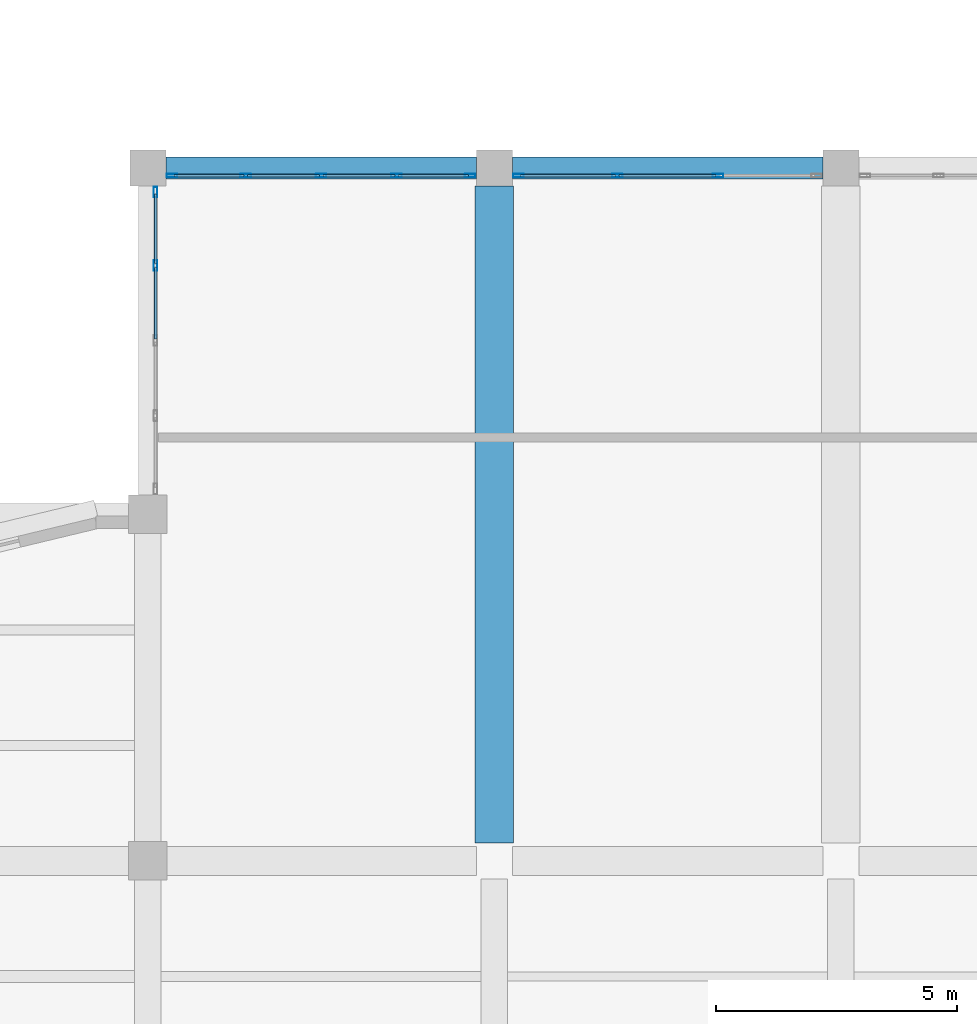
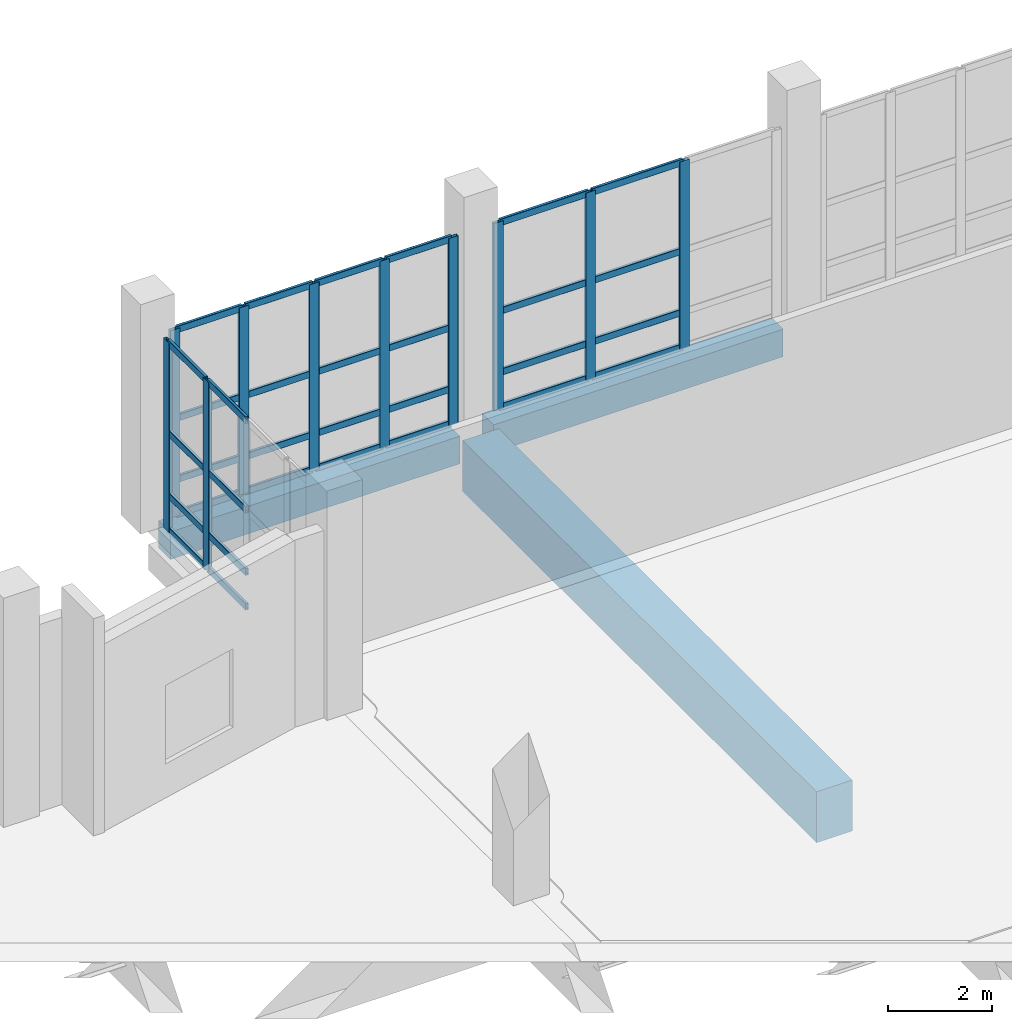
# One storey, part 22 of 137: 42 members, 3 beams, 3 elements without a shape of their own.
"""IFC4 building model written with IfcOpenShell, lengths in metres."""

from ifc_helpers import new_model, si_unit, direction, frame, origin, origin_2d, place, context, subcontext, project, spatial, rectangle, hollow_rectangle, extrude, material, material_profile, profile_set, type_object, element, aggregate, save


model = new_model("IFC4")

# Units and contexts
model_context = context("Model", 3, precision=1e-05, world=origin(), true_north=direction((0.0, 1.0)))
body_context = subcontext(model_context, "Body", "Model", "MODEL_VIEW")
ifc_project = project(units=[si_unit("LENGTHUNIT", "METRE"), si_unit("AREAUNIT", "SQUARE_METRE"), si_unit("VOLUMEUNIT", "CUBIC_METRE"), si_unit("PLANEANGLEUNIT", "RADIAN"), si_unit("MASSUNIT", "GRAM", prefix="KILO")], contexts=[model_context])

# Site, building, storey
site_placement = place(None, origin())
site = spatial("IfcSite", under=ifc_project, at=site_placement, CompositionType="ELEMENT")
building_placement = place(site_placement, origin())
building = spatial("IfcBuilding", under=site, at=building_placement, Name="Kalmorath City Hall", CompositionType="ELEMENT")
storey_placement = place(building_placement, origin())
storey = spatial("IfcBuildingStorey", under=building, at=storey_placement, Name="L00", CompositionType="ELEMENT", Elevation=0.0)

# Beams
ifc_material_1 = material(Name="Concrete C50/60", Category="concrete")
ifc_material_profile_1 = material_profile(ifc_material_1, rectangle(XDim=0.800048828125, YDim=1.199951171875, at=origin_2d()), Name="RC-TG-800X1200")
ifc_profile_set_1 = profile_set([ifc_material_profile_1], Name="Concrete C50/60")
beam_type_1 = type_object("IfcBeamType", Name="Concrete deep girder 800x1200", PredefinedType="BEAM", material=ifc_profile_set_1)
beam_placement = place(storey_placement, frame((43.199951171875, 29.175048828125, -0.904052734375), z_axis=(0.0, 1.0, 0.0), x_axis=(-1.0, 0.0, 0.0)))
element("IfcBeam", 1, at=beam_placement, inside=storey, type_object=beam_type_1, Name="L00 girder TG2 Y7/5-7", PredefinedType="BEAM", context=body_context, shape_type="SweptSolid", body=[
    extrude(rectangle(XDim=0.800048828125, YDim=1.199951171875, at=origin_2d()), origin(), (0.0, 0.0, 1.0), 13.64990234375),
])
ifc_material_2 = material(Name="Concrete C40/50", Category="concrete")
ifc_material_profile_2 = material_profile(ifc_material_2, rectangle(XDim=0.449951171875, YDim=0.64990234375, at=origin_2d()), Name="RC-BM-450X650")
ifc_profile_set_2 = profile_set([ifc_material_profile_2], Name="Concrete C40/50")
beam_type_2 = type_object("IfcBeamType", Name="Concrete spandrel beam 450x650", PredefinedType="SPANDREL", material=ifc_profile_set_2)
for number, where, z_axis, x_axis, name in (
    (2, (36.375, 43.199951171875, -0.62890625), (1.0, 0.0, 0.0), (0.0, 1.0, 0.0), "L00 girder CB5 X6-7/7"),
    (3, (43.574951171875, 43.199951171875, -0.62890625), (1.0, 0.0, 0.0), (0.0, 1.0, 0.0), "L00 girder CB5 X7-8/7"),
):
    element("IfcBeam", number, at=place(storey_placement, frame(where, z_axis=z_axis, x_axis=x_axis)), inside=storey, type_object=beam_type_2, Name=name, PredefinedType="SPANDREL", context=body_context, shape_type="SweptSolid", body=[
        extrude(rectangle(XDim=0.449951171875, YDim=0.64990234375, at=origin_2d()), origin(), (0.0, 0.0, 1.0), 6.449951171875),
    ])

# Curtain wall, members
ifc_material_3 = material(Name="Anodised aluminium and laminated glass", Category="aluminium")
curtain_wall_type_1 = type_object("IfcCurtainWallType", Name="Unitised hurricane curtain wall 6245x4461 M1500", PredefinedType="NOTDEFINED", material=ifc_material_3)
curtain_wall_1_placement = place(storey_placement, origin())
curtain_wall_1 = element("IfcCurtainWall", 4, at=curtain_wall_1_placement, inside=storey, type_object=curtain_wall_type_1, Name="L00 curtain wall CW-62X45M15 #27", PredefinedType="NOTDEFINED")
ifc_material_4 = material(Name="Anodised aluminium framing", Category="aluminium")
ifc_material_profile_3 = material_profile(ifc_material_4, hollow_rectangle(XDim=0.074951171875, YDim=0.219970703125, WallThickness=0.00390625, InnerFilletRadius=0.00390625, OuterFilletRadius=0.008056640625, at=origin_2d()), Name="ALU-MUL-220X75X4")
ifc_profile_set_3 = profile_set([ifc_material_profile_3], Name="Anodised aluminium framing")
member_type_1 = type_object("IfcMemberType", Name="Curtain-wall primary mullion 220x75", PredefinedType="MULLION", material=ifc_profile_set_3)
member_1_placement = place(storey_placement, frame((36.159912109375, 41.173828125, 0.0), z_axis=(0.0, 0.0, 1.0), x_axis=(-1.0, 0.0, 0.0)))
member_1 = element("IfcMember", 5, at=member_1_placement, type_object=member_type_1, Name="CW-62X45M15 mullion 4", PredefinedType="MULLION", context=body_context, shape_type="SweptSolid", body=[
    extrude(hollow_rectangle(XDim=0.074951171875, YDim=0.219970703125, WallThickness=0.00390625, InnerFilletRadius=0.00390625, OuterFilletRadius=0.008056640625, at=origin_2d()), origin(), (0.0, 0.0, 1.0), 4.4609375),
])
member_2_placement = place(storey_placement, frame((36.159912109375, 42.697509765625, 0.0), z_axis=(0.0, 0.0, 1.0), x_axis=(-1.0, 0.0, 0.0)))
member_2 = element("IfcMember", 6, at=member_2_placement, type_object=member_type_1, Name="CW-62X45M15 mullion 5", PredefinedType="MULLION", context=body_context, shape_type="SweptSolid", body=[
    extrude(hollow_rectangle(XDim=0.074951171875, YDim=0.219970703125, WallThickness=0.00390625, InnerFilletRadius=0.00390625, OuterFilletRadius=0.008056640625, at=origin_2d()), origin(), (0.0, 0.0, 1.0), 4.4609375),
])

ifc_material_5 = material(Name="Anodised aluminium and laminated glass", Category="aluminium")
curtain_wall_type_2 = type_object("IfcCurtainWallType", Name="Unitised hurricane curtain wall 6270x4411 M1500", PredefinedType="NOTDEFINED", material=ifc_material_5)
curtain_wall_2_placement = place(storey_placement, origin())
curtain_wall_2 = element("IfcCurtainWall", 7, at=curtain_wall_2_placement, inside=storey, type_object=curtain_wall_type_2, Name="L00 curtain wall CW-63X44M15 #28", PredefinedType="NOTDEFINED")
member_3_placement = place(storey_placement, frame((36.50244140625, 43.0400390625, 0.0), z_axis=(0.0, 0.0, 1.0), x_axis=(0.0, 1.0, 0.0)))
member_3 = element("IfcMember", 8, at=member_3_placement, type_object=member_type_1, Name="CW-63X44M15 mullion 1", PredefinedType="MULLION", context=body_context, shape_type="SweptSolid", body=[
    extrude(hollow_rectangle(XDim=0.074951171875, YDim=0.219970703125, WallThickness=0.00390625, InnerFilletRadius=0.00390625, OuterFilletRadius=0.008056640625, at=origin_2d()), origin(), (0.0, 0.0, 1.0), 4.410888671875),
])
member_4_placement = place(storey_placement, frame((38.032470703125, 43.0400390625, 0.0), z_axis=(0.0, 0.0, 1.0), x_axis=(0.0, 1.0, 0.0)))
member_4 = element("IfcMember", 9, at=member_4_placement, type_object=member_type_1, Name="CW-63X44M15 mullion 2", PredefinedType="MULLION", context=body_context, shape_type="SweptSolid", body=[
    extrude(hollow_rectangle(XDim=0.074951171875, YDim=0.219970703125, WallThickness=0.00390625, InnerFilletRadius=0.00390625, OuterFilletRadius=0.008056640625, at=origin_2d()), origin(), (0.0, 0.0, 1.0), 4.410888671875),
])
member_5_placement = place(storey_placement, frame((39.60009765625, 43.0400390625, 0.0), z_axis=(0.0, 0.0, 1.0), x_axis=(0.0, 1.0, 0.0)))
member_5 = element("IfcMember", 10, at=member_5_placement, type_object=member_type_1, Name="CW-63X44M15 mullion 3", PredefinedType="MULLION", context=body_context, shape_type="SweptSolid", body=[
    extrude(hollow_rectangle(XDim=0.074951171875, YDim=0.219970703125, WallThickness=0.00390625, InnerFilletRadius=0.00390625, OuterFilletRadius=0.008056640625, at=origin_2d()), origin(), (0.0, 0.0, 1.0), 4.410888671875),
])
member_6_placement = place(storey_placement, frame((41.16748046875, 43.0400390625, 0.0), z_axis=(0.0, 0.0, 1.0), x_axis=(0.0, 1.0, 0.0)))
member_6 = element("IfcMember", 11, at=member_6_placement, type_object=member_type_1, Name="CW-63X44M15 mullion 4", PredefinedType="MULLION", context=body_context, shape_type="SweptSolid", body=[
    extrude(hollow_rectangle(XDim=0.074951171875, YDim=0.219970703125, WallThickness=0.00390625, InnerFilletRadius=0.00390625, OuterFilletRadius=0.008056640625, at=origin_2d()), origin(), (0.0, 0.0, 1.0), 4.410888671875),
])
member_7_placement = place(storey_placement, frame((42.697509765625, 43.0400390625, 0.0), z_axis=(0.0, 0.0, 1.0), x_axis=(0.0, 1.0, 0.0)))
member_7 = element("IfcMember", 12, at=member_7_placement, type_object=member_type_1, Name="CW-63X44M15 mullion 5", PredefinedType="MULLION", context=body_context, shape_type="SweptSolid", body=[
    extrude(hollow_rectangle(XDim=0.074951171875, YDim=0.219970703125, WallThickness=0.00390625, InnerFilletRadius=0.00390625, OuterFilletRadius=0.008056640625, at=origin_2d()), origin(), (0.0, 0.0, 1.0), 4.410888671875),
])

ifc_material_6 = material(Name="Anodised aluminium and laminated glass", Category="aluminium")
curtain_wall_type_3 = type_object("IfcCurtainWallType", Name="Unitised hurricane curtain wall 6270x4411 M2100", PredefinedType="NOTDEFINED", material=ifc_material_6)
curtain_wall_3_placement = place(storey_placement, origin())
curtain_wall_3 = element("IfcCurtainWall", 13, at=curtain_wall_3_placement, inside=storey, type_object=curtain_wall_type_3, Name="L00 curtain wall CW-63X44M21 #29", PredefinedType="NOTDEFINED")
member_8_placement = place(storey_placement, frame((43.702392578125, 43.0400390625, 0.0), z_axis=(0.0, 0.0, 1.0), x_axis=(0.0, 1.0, 0.0)))
member_8 = element("IfcMember", 14, at=member_8_placement, type_object=member_type_1, Name="CW-63X44M21 mullion 1", PredefinedType="MULLION", context=body_context, shape_type="SweptSolid", body=[
    extrude(hollow_rectangle(XDim=0.074951171875, YDim=0.219970703125, WallThickness=0.00390625, InnerFilletRadius=0.00390625, OuterFilletRadius=0.008056640625, at=origin_2d()), origin(), (0.0, 0.0, 1.0), 4.410888671875),
])
member_9_placement = place(storey_placement, frame((45.7548828125, 43.0400390625, 0.0), z_axis=(0.0, 0.0, 1.0), x_axis=(0.0, 1.0, 0.0)))
member_9 = element("IfcMember", 15, at=member_9_placement, type_object=member_type_1, Name="CW-63X44M21 mullion 2", PredefinedType="MULLION", context=body_context, shape_type="SweptSolid", body=[
    extrude(hollow_rectangle(XDim=0.074951171875, YDim=0.219970703125, WallThickness=0.00390625, InnerFilletRadius=0.00390625, OuterFilletRadius=0.008056640625, at=origin_2d()), origin(), (0.0, 0.0, 1.0), 4.410888671875),
])
member_10_placement = place(storey_placement, frame((47.844970703125, 43.0400390625, 0.0), z_axis=(0.0, 0.0, 1.0), x_axis=(0.0, 1.0, 0.0)))
member_10 = element("IfcMember", 16, at=member_10_placement, type_object=member_type_1, Name="CW-63X44M21 mullion 3", PredefinedType="MULLION", context=body_context, shape_type="SweptSolid", body=[
    extrude(hollow_rectangle(XDim=0.074951171875, YDim=0.219970703125, WallThickness=0.00390625, InnerFilletRadius=0.00390625, OuterFilletRadius=0.008056640625, at=origin_2d()), origin(), (0.0, 0.0, 1.0), 4.410888671875),
])

# Member
ifc_material_7 = material(Name="Anodised aluminium framing", Category="aluminium")
ifc_material_profile_4 = material_profile(ifc_material_7, hollow_rectangle(XDim=0.06494140625, YDim=0.159912109375, WallThickness=0.00390625, InnerFilletRadius=0.00390625, OuterFilletRadius=0.008056640625, at=origin_2d()), Name="ALU-TRN-160X65X4")
ifc_profile_set_4 = profile_set([ifc_material_profile_4], Name="Anodised aluminium framing")
member_type_2 = type_object("IfcMemberType", Name="Curtain-wall primary transom 160x65", PredefinedType="USERDEFINED", material=ifc_profile_set_4)
member_11_placement = place(storey_placement, frame((36.159912109375, 39.64990234375, 0.032470703125), z_axis=(0.0, 1.0, 0.0), x_axis=(-1.0, 0.0, 0.0)))
member_11 = element("IfcMember", 17, at=member_11_placement, type_object=member_type_2, Name="CW-62X45M15 transom 3.1", ObjectType="TRANSOM", PredefinedType="USERDEFINED", context=body_context, shape_type="SweptSolid", body=[
    extrude(hollow_rectangle(XDim=0.06494140625, YDim=0.159912109375, WallThickness=0.00390625, InnerFilletRadius=0.00390625, OuterFilletRadius=0.008056640625, at=origin_2d()), origin(), (0.0, 0.0, 1.0), 1.486328125),
])

member_12_placement = place(storey_placement, frame((36.159912109375, 39.64990234375, 0.85009765625), z_axis=(0.0, 1.0, 0.0), x_axis=(-1.0, 0.0, 0.0)))
member_12 = element("IfcMember", 18, at=member_12_placement, type_object=member_type_2, Name="CW-62X45M15 transom 3.2", ObjectType="TRANSOM", PredefinedType="USERDEFINED", context=body_context, shape_type="SweptSolid", body=[
    extrude(hollow_rectangle(XDim=0.06494140625, YDim=0.159912109375, WallThickness=0.00390625, InnerFilletRadius=0.00390625, OuterFilletRadius=0.008056640625, at=origin_2d()), origin(), (0.0, 0.0, 1.0), 1.486328125),
])

member_13_placement = place(storey_placement, frame((36.159912109375, 39.64990234375, 2.320068359375), z_axis=(0.0, 1.0, 0.0), x_axis=(-1.0, 0.0, 0.0)))
member_13 = element("IfcMember", 19, at=member_13_placement, type_object=member_type_2, Name="CW-62X45M15 transom 3.3", ObjectType="TRANSOM", PredefinedType="USERDEFINED", context=body_context, shape_type="SweptSolid", body=[
    extrude(hollow_rectangle(XDim=0.06494140625, YDim=0.159912109375, WallThickness=0.00390625, InnerFilletRadius=0.00390625, OuterFilletRadius=0.008056640625, at=origin_2d()), origin(), (0.0, 0.0, 1.0), 1.486328125),
])

member_14_placement = place(storey_placement, frame((36.159912109375, 39.64990234375, 4.428466796875), z_axis=(0.0, 1.0, 0.0), x_axis=(-1.0, 0.0, 0.0)))
member_14 = element("IfcMember", 20, at=member_14_placement, type_object=member_type_2, Name="CW-62X45M15 transom 3.4", ObjectType="TRANSOM", PredefinedType="USERDEFINED", context=body_context, shape_type="SweptSolid", body=[
    extrude(hollow_rectangle(XDim=0.06494140625, YDim=0.159912109375, WallThickness=0.00390625, InnerFilletRadius=0.00390625, OuterFilletRadius=0.008056640625, at=origin_2d()), origin(), (0.0, 0.0, 1.0), 1.486328125),
])

member_15_placement = place(storey_placement, frame((36.159912109375, 41.211181640625, 0.032470703125), z_axis=(0.0, 1.0, 0.0), x_axis=(-1.0, 0.0, 0.0)))
member_15 = element("IfcMember", 21, at=member_15_placement, type_object=member_type_2, Name="CW-62X45M15 transom 4.1", ObjectType="TRANSOM", PredefinedType="USERDEFINED", context=body_context, shape_type="SweptSolid", body=[
    extrude(hollow_rectangle(XDim=0.06494140625, YDim=0.159912109375, WallThickness=0.00390625, InnerFilletRadius=0.00390625, OuterFilletRadius=0.008056640625, at=origin_2d()), origin(), (0.0, 0.0, 1.0), 1.44873046875),
])

member_16_placement = place(storey_placement, frame((36.159912109375, 41.211181640625, 0.85009765625), z_axis=(0.0, 1.0, 0.0), x_axis=(-1.0, 0.0, 0.0)))
member_16 = element("IfcMember", 22, at=member_16_placement, type_object=member_type_2, Name="CW-62X45M15 transom 4.2", ObjectType="TRANSOM", PredefinedType="USERDEFINED", context=body_context, shape_type="SweptSolid", body=[
    extrude(hollow_rectangle(XDim=0.06494140625, YDim=0.159912109375, WallThickness=0.00390625, InnerFilletRadius=0.00390625, OuterFilletRadius=0.008056640625, at=origin_2d()), origin(), (0.0, 0.0, 1.0), 1.44873046875),
])

member_17_placement = place(storey_placement, frame((36.159912109375, 41.211181640625, 2.320068359375), z_axis=(0.0, 1.0, 0.0), x_axis=(-1.0, 0.0, 0.0)))
member_17 = element("IfcMember", 23, at=member_17_placement, type_object=member_type_2, Name="CW-62X45M15 transom 4.3", ObjectType="TRANSOM", PredefinedType="USERDEFINED", context=body_context, shape_type="SweptSolid", body=[
    extrude(hollow_rectangle(XDim=0.06494140625, YDim=0.159912109375, WallThickness=0.00390625, InnerFilletRadius=0.00390625, OuterFilletRadius=0.008056640625, at=origin_2d()), origin(), (0.0, 0.0, 1.0), 1.44873046875),
])

member_18_placement = place(storey_placement, frame((36.159912109375, 41.211181640625, 4.428466796875), z_axis=(0.0, 1.0, 0.0), x_axis=(-1.0, 0.0, 0.0)))
member_18 = element("IfcMember", 24, at=member_18_placement, type_object=member_type_2, Name="CW-62X45M15 transom 4.4", ObjectType="TRANSOM", PredefinedType="USERDEFINED", context=body_context, shape_type="SweptSolid", body=[
    extrude(hollow_rectangle(XDim=0.06494140625, YDim=0.159912109375, WallThickness=0.00390625, InnerFilletRadius=0.00390625, OuterFilletRadius=0.008056640625, at=origin_2d()), origin(), (0.0, 0.0, 1.0), 1.44873046875),
])

aggregate(curtain_wall_1, [member_1, member_2, member_11, member_12, member_13, member_14, member_15, member_16, member_17, member_18])

member_19_placement = place(storey_placement, frame((36.5400390625, 43.0400390625, 0.032470703125), z_axis=(1.0, 0.0, 0.0), x_axis=(0.0, 1.0, 0.0)))
member_19 = element("IfcMember", 25, at=member_19_placement, type_object=member_type_2, Name="CW-63X44M15 transom 1.1", ObjectType="TRANSOM", PredefinedType="USERDEFINED", context=body_context, shape_type="SweptSolid", body=[
    extrude(hollow_rectangle(XDim=0.06494140625, YDim=0.159912109375, WallThickness=0.00390625, InnerFilletRadius=0.00390625, OuterFilletRadius=0.008056640625, at=origin_2d()), origin(), (0.0, 0.0, 1.0), 1.455078125),
])

member_20_placement = place(storey_placement, frame((36.5400390625, 43.0400390625, 0.85009765625), z_axis=(1.0, 0.0, 0.0), x_axis=(0.0, 1.0, 0.0)))
member_20 = element("IfcMember", 26, at=member_20_placement, type_object=member_type_2, Name="CW-63X44M15 transom 1.2", ObjectType="TRANSOM", PredefinedType="USERDEFINED", context=body_context, shape_type="SweptSolid", body=[
    extrude(hollow_rectangle(XDim=0.06494140625, YDim=0.159912109375, WallThickness=0.00390625, InnerFilletRadius=0.00390625, OuterFilletRadius=0.008056640625, at=origin_2d()), origin(), (0.0, 0.0, 1.0), 1.455078125),
])

member_21_placement = place(storey_placement, frame((36.5400390625, 43.0400390625, 2.2939453125), z_axis=(1.0, 0.0, 0.0), x_axis=(0.0, 1.0, 0.0)))
member_21 = element("IfcMember", 27, at=member_21_placement, type_object=member_type_2, Name="CW-63X44M15 transom 1.3", ObjectType="TRANSOM", PredefinedType="USERDEFINED", context=body_context, shape_type="SweptSolid", body=[
    extrude(hollow_rectangle(XDim=0.06494140625, YDim=0.159912109375, WallThickness=0.00390625, InnerFilletRadius=0.00390625, OuterFilletRadius=0.008056640625, at=origin_2d()), origin(), (0.0, 0.0, 1.0), 1.455078125),
])

member_22_placement = place(storey_placement, frame((36.5400390625, 43.0400390625, 4.37841796875), z_axis=(1.0, 0.0, 0.0), x_axis=(0.0, 1.0, 0.0)))
member_22 = element("IfcMember", 28, at=member_22_placement, type_object=member_type_2, Name="CW-63X44M15 transom 1.4", ObjectType="TRANSOM", PredefinedType="USERDEFINED", context=body_context, shape_type="SweptSolid", body=[
    extrude(hollow_rectangle(XDim=0.06494140625, YDim=0.159912109375, WallThickness=0.00390625, InnerFilletRadius=0.00390625, OuterFilletRadius=0.008056640625, at=origin_2d()), origin(), (0.0, 0.0, 1.0), 1.455078125),
])

member_23_placement = place(storey_placement, frame((38.070068359375, 43.0400390625, 0.032470703125), z_axis=(1.0, 0.0, 0.0), x_axis=(0.0, 1.0, 0.0)))
member_23 = element("IfcMember", 29, at=member_23_placement, type_object=member_type_2, Name="CW-63X44M15 transom 2.1", ObjectType="TRANSOM", PredefinedType="USERDEFINED", context=body_context, shape_type="SweptSolid", body=[
    extrude(hollow_rectangle(XDim=0.06494140625, YDim=0.159912109375, WallThickness=0.00390625, InnerFilletRadius=0.00390625, OuterFilletRadius=0.008056640625, at=origin_2d()), origin(), (0.0, 0.0, 1.0), 1.492431640625),
])

member_24_placement = place(storey_placement, frame((38.070068359375, 43.0400390625, 0.85009765625), z_axis=(1.0, 0.0, 0.0), x_axis=(0.0, 1.0, 0.0)))
member_24 = element("IfcMember", 30, at=member_24_placement, type_object=member_type_2, Name="CW-63X44M15 transom 2.2", ObjectType="TRANSOM", PredefinedType="USERDEFINED", context=body_context, shape_type="SweptSolid", body=[
    extrude(hollow_rectangle(XDim=0.06494140625, YDim=0.159912109375, WallThickness=0.00390625, InnerFilletRadius=0.00390625, OuterFilletRadius=0.008056640625, at=origin_2d()), origin(), (0.0, 0.0, 1.0), 1.492431640625),
])

member_25_placement = place(storey_placement, frame((38.070068359375, 43.0400390625, 2.2939453125), z_axis=(1.0, 0.0, 0.0), x_axis=(0.0, 1.0, 0.0)))
member_25 = element("IfcMember", 31, at=member_25_placement, type_object=member_type_2, Name="CW-63X44M15 transom 2.3", ObjectType="TRANSOM", PredefinedType="USERDEFINED", context=body_context, shape_type="SweptSolid", body=[
    extrude(hollow_rectangle(XDim=0.06494140625, YDim=0.159912109375, WallThickness=0.00390625, InnerFilletRadius=0.00390625, OuterFilletRadius=0.008056640625, at=origin_2d()), origin(), (0.0, 0.0, 1.0), 1.492431640625),
])

member_26_placement = place(storey_placement, frame((38.070068359375, 43.0400390625, 4.37841796875), z_axis=(1.0, 0.0, 0.0), x_axis=(0.0, 1.0, 0.0)))
member_26 = element("IfcMember", 32, at=member_26_placement, type_object=member_type_2, Name="CW-63X44M15 transom 2.4", ObjectType="TRANSOM", PredefinedType="USERDEFINED", context=body_context, shape_type="SweptSolid", body=[
    extrude(hollow_rectangle(XDim=0.06494140625, YDim=0.159912109375, WallThickness=0.00390625, InnerFilletRadius=0.00390625, OuterFilletRadius=0.008056640625, at=origin_2d()), origin(), (0.0, 0.0, 1.0), 1.492431640625),
])

member_27_placement = place(storey_placement, frame((39.637451171875, 43.0400390625, 0.032470703125), z_axis=(1.0, 0.0, 0.0), x_axis=(0.0, 1.0, 0.0)))
member_27 = element("IfcMember", 33, at=member_27_placement, type_object=member_type_2, Name="CW-63X44M15 transom 3.1", ObjectType="TRANSOM", PredefinedType="USERDEFINED", context=body_context, shape_type="SweptSolid", body=[
    extrude(hollow_rectangle(XDim=0.06494140625, YDim=0.159912109375, WallThickness=0.00390625, InnerFilletRadius=0.00390625, OuterFilletRadius=0.008056640625, at=origin_2d()), origin(), (0.0, 0.0, 1.0), 1.492431640625),
])

member_28_placement = place(storey_placement, frame((39.637451171875, 43.0400390625, 0.85009765625), z_axis=(1.0, 0.0, 0.0), x_axis=(0.0, 1.0, 0.0)))
member_28 = element("IfcMember", 34, at=member_28_placement, type_object=member_type_2, Name="CW-63X44M15 transom 3.2", ObjectType="TRANSOM", PredefinedType="USERDEFINED", context=body_context, shape_type="SweptSolid", body=[
    extrude(hollow_rectangle(XDim=0.06494140625, YDim=0.159912109375, WallThickness=0.00390625, InnerFilletRadius=0.00390625, OuterFilletRadius=0.008056640625, at=origin_2d()), origin(), (0.0, 0.0, 1.0), 1.492431640625),
])

member_29_placement = place(storey_placement, frame((39.637451171875, 43.0400390625, 2.2939453125), z_axis=(1.0, 0.0, 0.0), x_axis=(0.0, 1.0, 0.0)))
member_29 = element("IfcMember", 35, at=member_29_placement, type_object=member_type_2, Name="CW-63X44M15 transom 3.3", ObjectType="TRANSOM", PredefinedType="USERDEFINED", context=body_context, shape_type="SweptSolid", body=[
    extrude(hollow_rectangle(XDim=0.06494140625, YDim=0.159912109375, WallThickness=0.00390625, InnerFilletRadius=0.00390625, OuterFilletRadius=0.008056640625, at=origin_2d()), origin(), (0.0, 0.0, 1.0), 1.492431640625),
])

member_30_placement = place(storey_placement, frame((39.637451171875, 43.0400390625, 4.37841796875), z_axis=(1.0, 0.0, 0.0), x_axis=(0.0, 1.0, 0.0)))
member_30 = element("IfcMember", 36, at=member_30_placement, type_object=member_type_2, Name="CW-63X44M15 transom 3.4", ObjectType="TRANSOM", PredefinedType="USERDEFINED", context=body_context, shape_type="SweptSolid", body=[
    extrude(hollow_rectangle(XDim=0.06494140625, YDim=0.159912109375, WallThickness=0.00390625, InnerFilletRadius=0.00390625, OuterFilletRadius=0.008056640625, at=origin_2d()), origin(), (0.0, 0.0, 1.0), 1.492431640625),
])

member_31_placement = place(storey_placement, frame((41.205078125, 43.0400390625, 0.032470703125), z_axis=(1.0, 0.0, 0.0), x_axis=(0.0, 1.0, 0.0)))
member_31 = element("IfcMember", 37, at=member_31_placement, type_object=member_type_2, Name="CW-63X44M15 transom 4.1", ObjectType="TRANSOM", PredefinedType="USERDEFINED", context=body_context, shape_type="SweptSolid", body=[
    extrude(hollow_rectangle(XDim=0.06494140625, YDim=0.159912109375, WallThickness=0.00390625, InnerFilletRadius=0.00390625, OuterFilletRadius=0.008056640625, at=origin_2d()), origin(), (0.0, 0.0, 1.0), 1.454833984375),
])

member_32_placement = place(storey_placement, frame((41.205078125, 43.0400390625, 0.85009765625), z_axis=(1.0, 0.0, 0.0), x_axis=(0.0, 1.0, 0.0)))
member_32 = element("IfcMember", 38, at=member_32_placement, type_object=member_type_2, Name="CW-63X44M15 transom 4.2", ObjectType="TRANSOM", PredefinedType="USERDEFINED", context=body_context, shape_type="SweptSolid", body=[
    extrude(hollow_rectangle(XDim=0.06494140625, YDim=0.159912109375, WallThickness=0.00390625, InnerFilletRadius=0.00390625, OuterFilletRadius=0.008056640625, at=origin_2d()), origin(), (0.0, 0.0, 1.0), 1.454833984375),
])

member_33_placement = place(storey_placement, frame((41.205078125, 43.0400390625, 2.2939453125), z_axis=(1.0, 0.0, 0.0), x_axis=(0.0, 1.0, 0.0)))
member_33 = element("IfcMember", 39, at=member_33_placement, type_object=member_type_2, Name="CW-63X44M15 transom 4.3", ObjectType="TRANSOM", PredefinedType="USERDEFINED", context=body_context, shape_type="SweptSolid", body=[
    extrude(hollow_rectangle(XDim=0.06494140625, YDim=0.159912109375, WallThickness=0.00390625, InnerFilletRadius=0.00390625, OuterFilletRadius=0.008056640625, at=origin_2d()), origin(), (0.0, 0.0, 1.0), 1.454833984375),
])

member_34_placement = place(storey_placement, frame((41.205078125, 43.0400390625, 4.37841796875), z_axis=(1.0, 0.0, 0.0), x_axis=(0.0, 1.0, 0.0)))
member_34 = element("IfcMember", 40, at=member_34_placement, type_object=member_type_2, Name="CW-63X44M15 transom 4.4", ObjectType="TRANSOM", PredefinedType="USERDEFINED", context=body_context, shape_type="SweptSolid", body=[
    extrude(hollow_rectangle(XDim=0.06494140625, YDim=0.159912109375, WallThickness=0.00390625, InnerFilletRadius=0.00390625, OuterFilletRadius=0.008056640625, at=origin_2d()), origin(), (0.0, 0.0, 1.0), 1.454833984375),
])

aggregate(curtain_wall_2, [member_3, member_4, member_5, member_6, member_7, member_19, member_20, member_21, member_22, member_23, member_24, member_25, member_26, member_27, member_28, member_29, member_30, member_31, member_32, member_33, member_34])

member_35_placement = place(storey_placement, frame((43.739990234375, 43.0400390625, 0.032470703125), z_axis=(1.0, 0.0, 0.0), x_axis=(0.0, 1.0, 0.0)))
member_35 = element("IfcMember", 41, at=member_35_placement, type_object=member_type_2, Name="CW-63X44M21 transom 1.1", ObjectType="TRANSOM", PredefinedType="USERDEFINED", context=body_context, shape_type="SweptSolid", body=[
    extrude(hollow_rectangle(XDim=0.06494140625, YDim=0.159912109375, WallThickness=0.00390625, InnerFilletRadius=0.00390625, OuterFilletRadius=0.008056640625, at=origin_2d()), origin(), (0.0, 0.0, 1.0), 1.9775390625),
])

member_36_placement = place(storey_placement, frame((43.739990234375, 43.0400390625, 0.85009765625), z_axis=(1.0, 0.0, 0.0), x_axis=(0.0, 1.0, 0.0)))
member_36 = element("IfcMember", 42, at=member_36_placement, type_object=member_type_2, Name="CW-63X44M21 transom 1.2", ObjectType="TRANSOM", PredefinedType="USERDEFINED", context=body_context, shape_type="SweptSolid", body=[
    extrude(hollow_rectangle(XDim=0.06494140625, YDim=0.159912109375, WallThickness=0.00390625, InnerFilletRadius=0.00390625, OuterFilletRadius=0.008056640625, at=origin_2d()), origin(), (0.0, 0.0, 1.0), 1.9775390625),
])

member_37_placement = place(storey_placement, frame((43.739990234375, 43.0400390625, 2.2939453125), z_axis=(1.0, 0.0, 0.0), x_axis=(0.0, 1.0, 0.0)))
member_37 = element("IfcMember", 43, at=member_37_placement, type_object=member_type_2, Name="CW-63X44M21 transom 1.3", ObjectType="TRANSOM", PredefinedType="USERDEFINED", context=body_context, shape_type="SweptSolid", body=[
    extrude(hollow_rectangle(XDim=0.06494140625, YDim=0.159912109375, WallThickness=0.00390625, InnerFilletRadius=0.00390625, OuterFilletRadius=0.008056640625, at=origin_2d()), origin(), (0.0, 0.0, 1.0), 1.9775390625),
])

member_38_placement = place(storey_placement, frame((43.739990234375, 43.0400390625, 4.37841796875), z_axis=(1.0, 0.0, 0.0), x_axis=(0.0, 1.0, 0.0)))
member_38 = element("IfcMember", 44, at=member_38_placement, type_object=member_type_2, Name="CW-63X44M21 transom 1.4", ObjectType="TRANSOM", PredefinedType="USERDEFINED", context=body_context, shape_type="SweptSolid", body=[
    extrude(hollow_rectangle(XDim=0.06494140625, YDim=0.159912109375, WallThickness=0.00390625, InnerFilletRadius=0.00390625, OuterFilletRadius=0.008056640625, at=origin_2d()), origin(), (0.0, 0.0, 1.0), 1.9775390625),
])

member_39_placement = place(storey_placement, frame((45.79248046875, 43.0400390625, 0.032470703125), z_axis=(1.0, 0.0, 0.0), x_axis=(0.0, 1.0, 0.0)))
member_39 = element("IfcMember", 45, at=member_39_placement, type_object=member_type_2, Name="CW-63X44M21 transom 2.1", ObjectType="TRANSOM", PredefinedType="USERDEFINED", context=body_context, shape_type="SweptSolid", body=[
    extrude(hollow_rectangle(XDim=0.06494140625, YDim=0.159912109375, WallThickness=0.00390625, InnerFilletRadius=0.00390625, OuterFilletRadius=0.008056640625, at=origin_2d()), origin(), (0.0, 0.0, 1.0), 2.01513671875),
])

member_40_placement = place(storey_placement, frame((45.79248046875, 43.0400390625, 0.85009765625), z_axis=(1.0, 0.0, 0.0), x_axis=(0.0, 1.0, 0.0)))
member_40 = element("IfcMember", 46, at=member_40_placement, type_object=member_type_2, Name="CW-63X44M21 transom 2.2", ObjectType="TRANSOM", PredefinedType="USERDEFINED", context=body_context, shape_type="SweptSolid", body=[
    extrude(hollow_rectangle(XDim=0.06494140625, YDim=0.159912109375, WallThickness=0.00390625, InnerFilletRadius=0.00390625, OuterFilletRadius=0.008056640625, at=origin_2d()), origin(), (0.0, 0.0, 1.0), 2.01513671875),
])

member_41_placement = place(storey_placement, frame((45.79248046875, 43.0400390625, 2.2939453125), z_axis=(1.0, 0.0, 0.0), x_axis=(0.0, 1.0, 0.0)))
member_41 = element("IfcMember", 47, at=member_41_placement, type_object=member_type_2, Name="CW-63X44M21 transom 2.3", ObjectType="TRANSOM", PredefinedType="USERDEFINED", context=body_context, shape_type="SweptSolid", body=[
    extrude(hollow_rectangle(XDim=0.06494140625, YDim=0.159912109375, WallThickness=0.00390625, InnerFilletRadius=0.00390625, OuterFilletRadius=0.008056640625, at=origin_2d()), origin(), (0.0, 0.0, 1.0), 2.01513671875),
])

member_42_placement = place(storey_placement, frame((45.79248046875, 43.0400390625, 4.37841796875), z_axis=(1.0, 0.0, 0.0), x_axis=(0.0, 1.0, 0.0)))
member_42 = element("IfcMember", 48, at=member_42_placement, type_object=member_type_2, Name="CW-63X44M21 transom 2.4", ObjectType="TRANSOM", PredefinedType="USERDEFINED", context=body_context, shape_type="SweptSolid", body=[
    extrude(hollow_rectangle(XDim=0.06494140625, YDim=0.159912109375, WallThickness=0.00390625, InnerFilletRadius=0.00390625, OuterFilletRadius=0.008056640625, at=origin_2d()), origin(), (0.0, 0.0, 1.0), 2.01513671875),
])

aggregate(curtain_wall_3, [member_8, member_9, member_10, member_35, member_36, member_37, member_38, member_39, member_40, member_41, member_42])

save(model, "model.ifc")
